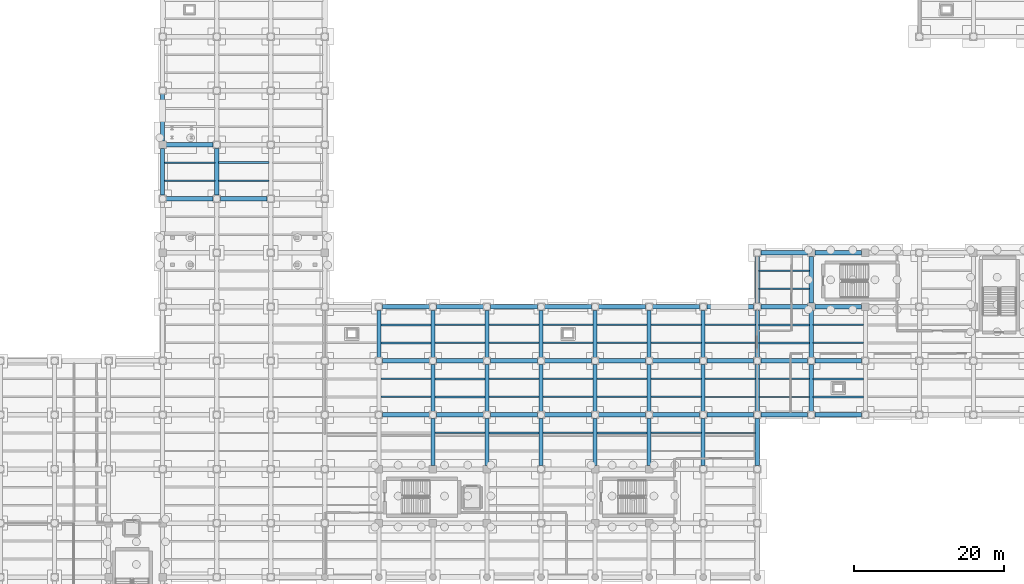
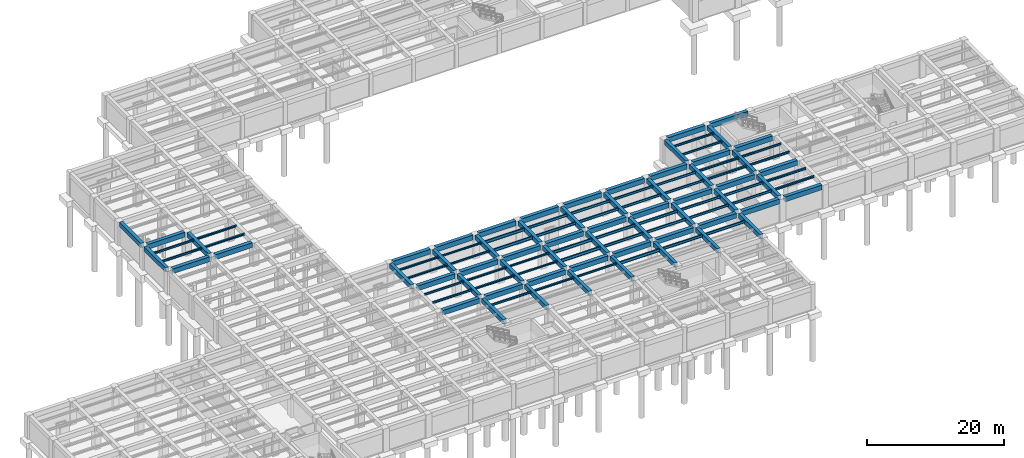
# One storey, part 11 of 34: 109 beams.
"""IFC4 building model written with IfcOpenShell, lengths in metres."""

from ifc_helpers import new_model, si_unit, direction, frame, origin, origin_2d, place, context, subcontext, project, spatial, rectangle, i_section, extrude, material, material_profile, profile_set, type_object, element, save


model = new_model("IFC4")

# Units and contexts
model_context = context("Model", 3, precision=1e-05, world=origin(), true_north=direction((0.0, 1.0)))
body_context = subcontext(model_context, "Body", "Model", "MODEL_VIEW")
ifc_project = project(units=[si_unit("LENGTHUNIT", "METRE"), si_unit("AREAUNIT", "SQUARE_METRE"), si_unit("VOLUMEUNIT", "CUBIC_METRE"), si_unit("PLANEANGLEUNIT", "RADIAN"), si_unit("MASSUNIT", "GRAM", prefix="KILO")], contexts=[model_context])

# Site, building, storey
site_placement = place(None, origin())
site = spatial("IfcSite", under=ifc_project, at=site_placement, CompositionType="ELEMENT")
building_placement = place(site_placement, origin())
building = spatial("IfcBuilding", under=site, at=building_placement, Name="Solenvale Faculty of Natural Sciences", CompositionType="ELEMENT")
storey_placement = place(building_placement, frame((0.0, 0.0, -4.5)))
storey = spatial("IfcBuildingStorey", under=building, at=storey_placement, Name="B01", CompositionType="ELEMENT", Elevation=-4.5)

# Beams
ifc_material_1 = material(Name="Concrete 40 MPa", Category="concrete")
ifc_material_profile_1 = material_profile(ifc_material_1, rectangle(XDim=0.550048828125, YDim=0.800048828125, at=origin_2d()), Name="RC-BM-550x800")
ifc_profile_set_1 = profile_set([ifc_material_profile_1], Name="Concrete 40 MPa")
beam_type_1 = type_object("IfcBeamType", Name="BM-RC-550x800", PredefinedType="BEAM", material=ifc_profile_set_1)
for number, where, z_axis, x_axis, name in (
    (1, (36.0, 65.280029296875, 3.75), (0.0, 1.0, 0.0), (-1.0, 0.0, 0.0), "B01 Y-Girder X36.0 (64.8..72.0)"),
    (2, (36.0, 72.47998046875, 3.75), (0.0, 1.0, 0.0), (-1.0, 0.0, 0.0), "B01 Y-Girder X36.0 (72.0..79.2)"),
    (3, (43.199951171875, 65.280029296875, 3.75), (0.0, 1.0, 0.0), (-1.0, 0.0, 0.0), "B01 Y-Girder X43.2 (64.8..72.0)"),
    (4, (64.800048828125, 43.679931640625, 3.75), (0.0, 1.0, 0.0), (-1.0, 0.0, 0.0), "B01 Y-Girder X64.8 (43.2..50.4)"),
    (5, (72.0, 29.280029296875, 3.75), (0.0, 1.0, 0.0), (-1.0, 0.0, 0.0), "B01 Y-Girder X72.0 (28.8..36.0)"),
    (6, (72.0, 36.47998046875, 3.75), (0.0, 1.0, 0.0), (-1.0, 0.0, 0.0), "B01 Y-Girder X72.0 (36.0..43.2)"),
    (7, (72.0, 43.679931640625, 3.75), (0.0, 1.0, 0.0), (-1.0, 0.0, 0.0), "B01 Y-Girder X72.0 (43.2..50.4)"),
    (8, (79.199951171875, 29.280029296875, 3.75), (0.0, 1.0, 0.0), (-1.0, 0.0, 0.0), "B01 Y-Girder X79.2 (28.8..36.0)"),
    (9, (79.199951171875, 36.47998046875, 3.75), (0.0, 1.0, 0.0), (-1.0, 0.0, 0.0), "B01 Y-Girder X79.2 (36.0..43.2)"),
    (10, (79.199951171875, 43.679931640625, 3.75), (0.0, 1.0, 0.0), (-1.0, 0.0, 0.0), "B01 Y-Girder X79.2 (43.2..50.4)"),
    (11, (86.39990234375, 29.280029296875, 3.75), (0.0, 1.0, 0.0), (-1.0, 0.0, 0.0), "B01 Y-Girder X86.4 (28.8..36.0)"),
    (12, (86.39990234375, 36.47998046875, 3.75), (0.0, 1.0, 0.0), (-1.0, 0.0, 0.0), "B01 Y-Girder X86.4 (36.0..43.2)"),
    (13, (86.39990234375, 43.679931640625, 3.75), (0.0, 1.0, 0.0), (-1.0, 0.0, 0.0), "B01 Y-Girder X86.4 (43.2..50.4)"),
    (14, (93.60009765625, 29.280029296875, 3.75), (0.0, 1.0, 0.0), (-1.0, 0.0, 0.0), "B01 Y-Girder X93.6 (28.8..36.0)"),
    (15, (93.60009765625, 36.47998046875, 3.75), (0.0, 1.0, 0.0), (-1.0, 0.0, 0.0), "B01 Y-Girder X93.6 (36.0..43.2)"),
    (16, (93.60009765625, 43.679931640625, 3.75), (0.0, 1.0, 0.0), (-1.0, 0.0, 0.0), "B01 Y-Girder X93.6 (43.2..50.4)"),
    (17, (100.800048828125, 29.280029296875, 3.75), (0.0, 1.0, 0.0), (-1.0, 0.0, 0.0), "B01 Y-Girder X100.8 (28.8..36.0)"),
    (18, (100.800048828125, 36.47998046875, 3.75), (0.0, 1.0, 0.0), (-1.0, 0.0, 0.0), "B01 Y-Girder X100.8 (36.0..43.2)"),
    (19, (100.800048828125, 43.679931640625, 3.75), (0.0, 1.0, 0.0), (-1.0, 0.0, 0.0), "B01 Y-Girder X100.8 (43.2..50.4)"),
    (20, (108.0, 29.280029296875, 3.75), (0.0, 1.0, 0.0), (-1.0, 0.0, 0.0), "B01 Y-Girder X108.0 (28.8..36.0)"),
    (21, (108.0, 36.47998046875, 3.75), (0.0, 1.0, 0.0), (-1.0, 0.0, 0.0), "B01 Y-Girder X108.0 (36.0..43.2)"),
    (22, (108.0, 43.679931640625, 3.75), (0.0, 1.0, 0.0), (-1.0, 0.0, 0.0), "B01 Y-Girder X108.0 (43.2..50.4)"),
    (23, (115.199951171875, 29.280029296875, 3.75), (0.0, 1.0, 0.0), (-1.0, 0.0, 0.0), "B01 Y-Girder X115.2 (28.8..36.0)"),
    (24, (115.199951171875, 36.47998046875, 3.75), (0.0, 1.0, 0.0), (-1.0, 0.0, 0.0), "B01 Y-Girder X115.2 (36.0..43.2)"),
    (25, (115.199951171875, 43.679931640625, 3.75), (0.0, 1.0, 0.0), (-1.0, 0.0, 0.0), "B01 Y-Girder X115.2 (43.2..50.4)"),
):
    element("IfcBeam", number, at=place(storey_placement, frame(where, z_axis=z_axis, x_axis=x_axis)), inside=storey, type_object=beam_type_1, Name=name, PredefinedType="BEAM", context=body_context, shape_type="SweptSolid", body=[
        extrude(rectangle(XDim=0.550048828125, YDim=0.800048828125, at=origin_2d()), origin(), (0.0, 0.0, 1.0), 6.239990234375),
    ])
beam_1_placement = place(storey_placement, frame((115.199951171875, 50.8798828125, 3.75), z_axis=(0.0, 1.0, 0.0), x_axis=(-1.0, 0.0, 0.0)))
element("IfcBeam", 26, at=beam_1_placement, inside=storey, type_object=beam_type_1, Name="B01 Y-Girder X115.2 (50.4..57.6)", PredefinedType="BEAM", context=body_context, shape_type="SweptSolid", body=[
    extrude(rectangle(XDim=0.550048828125, YDim=0.800048828125, at=origin_2d()), origin(), (0.0, 0.0, 1.0), 6.240234375),
])
for number, where, z_axis, x_axis, name in (
    (27, (122.39990234375, 36.47998046875, 3.75), (0.0, 1.0, 0.0), (-1.0, 0.0, 0.0), "B01 Y-Girder X122.4 (36.0..43.2)"),
    (28, (122.39990234375, 43.679931640625, 3.75), (0.0, 1.0, 0.0), (-1.0, 0.0, 0.0), "B01 Y-Girder X122.4 (43.2..50.4)"),
):
    element("IfcBeam", number, at=place(storey_placement, frame(where, z_axis=z_axis, x_axis=x_axis)), inside=storey, type_object=beam_type_1, Name=name, PredefinedType="BEAM", context=body_context, shape_type="SweptSolid", body=[
        extrude(rectangle(XDim=0.550048828125, YDim=0.800048828125, at=origin_2d()), origin(), (0.0, 0.0, 1.0), 6.239990234375),
    ])
beam_2_placement = place(storey_placement, frame((122.39990234375, 50.8798828125, 3.75), z_axis=(0.0, 1.0, 0.0), x_axis=(-1.0, 0.0, 0.0)))
element("IfcBeam", 29, at=beam_2_placement, inside=storey, type_object=beam_type_1, Name="B01 Y-Girder X122.4 (50.4..57.6)", PredefinedType="BEAM", context=body_context, shape_type="SweptSolid", body=[
    extrude(rectangle(XDim=0.550048828125, YDim=0.800048828125, at=origin_2d()), origin(), (0.0, 0.0, 1.0), 6.240234375),
])
ifc_material_profile_2 = material_profile(ifc_material_1, rectangle(XDim=0.60009765625, YDim=0.85009765625, at=origin_2d()), Name="RC-BM-600x850")
ifc_profile_set_2 = profile_set([ifc_material_profile_2], Name="Concrete 40 MPa")
beam_type_2 = type_object("IfcBeamType", Name="BM-RC-600x850", PredefinedType="BEAM", material=ifc_profile_set_2)
for number, where, z_axis, x_axis, name in (
    (30, (65.280029296875, 36.0, 3.72509765625), (1.0, 0.0, 0.0), (0.0, 1.0, 0.0), "B01 X-Girder Y36.0 (64.8..72.0)"),
    (31, (72.47998046875, 36.0, 3.72509765625), (1.0, 0.0, 0.0), (0.0, 1.0, 0.0), "B01 X-Girder Y36.0 (72.0..79.2)"),
    (32, (79.679931640625, 36.0, 3.72509765625), (1.0, 0.0, 0.0), (0.0, 1.0, 0.0), "B01 X-Girder Y36.0 (79.2..86.4)"),
):
    element("IfcBeam", number, at=place(storey_placement, frame(where, z_axis=z_axis, x_axis=x_axis)), inside=storey, type_object=beam_type_2, Name=name, PredefinedType="BEAM", context=body_context, shape_type="SweptSolid", body=[
        extrude(rectangle(XDim=0.60009765625, YDim=0.85009765625, at=origin_2d()), origin(), (0.0, 0.0, 1.0), 6.239990234375),
    ])
beam_3_placement = place(storey_placement, frame((86.8798828125, 36.0, 3.72509765625), z_axis=(1.0, 0.0, 0.0), x_axis=(0.0, 1.0, 0.0)))
element("IfcBeam", 33, at=beam_3_placement, inside=storey, type_object=beam_type_2, Name="B01 X-Girder Y36.0 (86.4..93.6)", PredefinedType="BEAM", context=body_context, shape_type="SweptSolid", body=[
    extrude(rectangle(XDim=0.60009765625, YDim=0.85009765625, at=origin_2d()), origin(), (0.0, 0.0, 1.0), 6.240234375),
])
for number, where, z_axis, x_axis, name in (
    (34, (94.080078125, 36.0, 3.72509765625), (1.0, 0.0, 0.0), (0.0, 1.0, 0.0), "B01 X-Girder Y36.0 (93.6..100.8)"),
    (35, (101.280029296875, 36.0, 3.72509765625), (1.0, 0.0, 0.0), (0.0, 1.0, 0.0), "B01 X-Girder Y36.0 (100.8..108.0)"),
    (36, (108.47998046875, 36.0, 3.72509765625), (1.0, 0.0, 0.0), (0.0, 1.0, 0.0), "B01 X-Girder Y36.0 (108.0..115.2)"),
    (37, (115.679931640625, 36.0, 3.72509765625), (1.0, 0.0, 0.0), (0.0, 1.0, 0.0), "B01 X-Girder Y36.0 (115.2..122.4)"),
):
    element("IfcBeam", number, at=place(storey_placement, frame(where, z_axis=z_axis, x_axis=x_axis)), inside=storey, type_object=beam_type_2, Name=name, PredefinedType="BEAM", context=body_context, shape_type="SweptSolid", body=[
        extrude(rectangle(XDim=0.60009765625, YDim=0.85009765625, at=origin_2d()), origin(), (0.0, 0.0, 1.0), 6.239990234375),
    ])
beam_4_placement = place(storey_placement, frame((122.8798828125, 36.0, 3.72509765625), z_axis=(1.0, 0.0, 0.0), x_axis=(0.0, 1.0, 0.0)))
element("IfcBeam", 38, at=beam_4_placement, inside=storey, type_object=beam_type_2, Name="B01 X-Girder Y36.0 (122.4..129.6)", PredefinedType="BEAM", context=body_context, shape_type="SweptSolid", body=[
    extrude(rectangle(XDim=0.60009765625, YDim=0.85009765625, at=origin_2d()), origin(), (0.0, 0.0, 1.0), 6.240234375),
])
for number, where, z_axis, x_axis, name in (
    (39, (65.280029296875, 43.199951171875, 3.72509765625), (1.0, 0.0, 0.0), (0.0, 1.0, 0.0), "B01 X-Girder Y43.2 (64.8..72.0)"),
    (40, (72.47998046875, 43.199951171875, 3.72509765625), (1.0, 0.0, 0.0), (0.0, 1.0, 0.0), "B01 X-Girder Y43.2 (72.0..79.2)"),
    (41, (79.679931640625, 43.199951171875, 3.72509765625), (1.0, 0.0, 0.0), (0.0, 1.0, 0.0), "B01 X-Girder Y43.2 (79.2..86.4)"),
):
    element("IfcBeam", number, at=place(storey_placement, frame(where, z_axis=z_axis, x_axis=x_axis)), inside=storey, type_object=beam_type_2, Name=name, PredefinedType="BEAM", context=body_context, shape_type="SweptSolid", body=[
        extrude(rectangle(XDim=0.60009765625, YDim=0.85009765625, at=origin_2d()), origin(), (0.0, 0.0, 1.0), 6.239990234375),
    ])
beam_5_placement = place(storey_placement, frame((86.8798828125, 43.199951171875, 3.72509765625), z_axis=(1.0, 0.0, 0.0), x_axis=(0.0, 1.0, 0.0)))
element("IfcBeam", 42, at=beam_5_placement, inside=storey, type_object=beam_type_2, Name="B01 X-Girder Y43.2 (86.4..93.6)", PredefinedType="BEAM", context=body_context, shape_type="SweptSolid", body=[
    extrude(rectangle(XDim=0.60009765625, YDim=0.85009765625, at=origin_2d()), origin(), (0.0, 0.0, 1.0), 6.240234375),
])
for number, where, z_axis, x_axis, name in (
    (43, (94.080078125, 43.199951171875, 3.72509765625), (1.0, 0.0, 0.0), (0.0, 1.0, 0.0), "B01 X-Girder Y43.2 (93.6..100.8)"),
    (44, (101.280029296875, 43.199951171875, 3.72509765625), (1.0, 0.0, 0.0), (0.0, 1.0, 0.0), "B01 X-Girder Y43.2 (100.8..108.0)"),
    (45, (108.47998046875, 43.199951171875, 3.72509765625), (1.0, 0.0, 0.0), (0.0, 1.0, 0.0), "B01 X-Girder Y43.2 (108.0..115.2)"),
    (46, (115.679931640625, 43.199951171875, 3.72509765625), (1.0, 0.0, 0.0), (0.0, 1.0, 0.0), "B01 X-Girder Y43.2 (115.2..122.4)"),
):
    element("IfcBeam", number, at=place(storey_placement, frame(where, z_axis=z_axis, x_axis=x_axis)), inside=storey, type_object=beam_type_2, Name=name, PredefinedType="BEAM", context=body_context, shape_type="SweptSolid", body=[
        extrude(rectangle(XDim=0.60009765625, YDim=0.85009765625, at=origin_2d()), origin(), (0.0, 0.0, 1.0), 6.239990234375),
    ])
beam_6_placement = place(storey_placement, frame((122.8798828125, 43.199951171875, 3.72509765625), z_axis=(1.0, 0.0, 0.0), x_axis=(0.0, 1.0, 0.0)))
element("IfcBeam", 47, at=beam_6_placement, inside=storey, type_object=beam_type_2, Name="B01 X-Girder Y43.2 (122.4..129.6)", PredefinedType="BEAM", context=body_context, shape_type="SweptSolid", body=[
    extrude(rectangle(XDim=0.60009765625, YDim=0.85009765625, at=origin_2d()), origin(), (0.0, 0.0, 1.0), 6.240234375),
])
for number, where, z_axis, x_axis, name in (
    (48, (65.280029296875, 50.39990234375, 3.72509765625), (1.0, 0.0, 0.0), (0.0, 1.0, 0.0), "B01 X-Girder Y50.4 (64.8..72.0)"),
    (49, (72.47998046875, 50.39990234375, 3.72509765625), (1.0, 0.0, 0.0), (0.0, 1.0, 0.0), "B01 X-Girder Y50.4 (72.0..79.2)"),
    (50, (79.679931640625, 50.39990234375, 3.72509765625), (1.0, 0.0, 0.0), (0.0, 1.0, 0.0), "B01 X-Girder Y50.4 (79.2..86.4)"),
):
    element("IfcBeam", number, at=place(storey_placement, frame(where, z_axis=z_axis, x_axis=x_axis)), inside=storey, type_object=beam_type_2, Name=name, PredefinedType="BEAM", context=body_context, shape_type="SweptSolid", body=[
        extrude(rectangle(XDim=0.60009765625, YDim=0.85009765625, at=origin_2d()), origin(), (0.0, 0.0, 1.0), 6.239990234375),
    ])
beam_7_placement = place(storey_placement, frame((86.8798828125, 50.39990234375, 3.72509765625), z_axis=(1.0, 0.0, 0.0), x_axis=(0.0, 1.0, 0.0)))
element("IfcBeam", 51, at=beam_7_placement, inside=storey, type_object=beam_type_2, Name="B01 X-Girder Y50.4 (86.4..93.6)", PredefinedType="BEAM", context=body_context, shape_type="SweptSolid", body=[
    extrude(rectangle(XDim=0.60009765625, YDim=0.85009765625, at=origin_2d()), origin(), (0.0, 0.0, 1.0), 6.240234375),
])
for number, where, z_axis, x_axis, name in (
    (52, (94.080078125, 50.39990234375, 3.72509765625), (1.0, 0.0, 0.0), (0.0, 1.0, 0.0), "B01 X-Girder Y50.4 (93.6..100.8)"),
    (53, (101.280029296875, 50.39990234375, 3.72509765625), (1.0, 0.0, 0.0), (0.0, 1.0, 0.0), "B01 X-Girder Y50.4 (100.8..108.0)"),
    (54, (108.47998046875, 50.39990234375, 3.72509765625), (1.0, 0.0, 0.0), (0.0, 1.0, 0.0), "B01 X-Girder Y50.4 (108.0..115.2)"),
    (55, (115.679931640625, 50.39990234375, 3.72509765625), (1.0, 0.0, 0.0), (0.0, 1.0, 0.0), "B01 X-Girder Y50.4 (115.2..122.4)"),
):
    element("IfcBeam", number, at=place(storey_placement, frame(where, z_axis=z_axis, x_axis=x_axis)), inside=storey, type_object=beam_type_2, Name=name, PredefinedType="BEAM", context=body_context, shape_type="SweptSolid", body=[
        extrude(rectangle(XDim=0.60009765625, YDim=0.85009765625, at=origin_2d()), origin(), (0.0, 0.0, 1.0), 6.239990234375),
    ])
beam_8_placement = place(storey_placement, frame((122.8798828125, 50.39990234375, 3.72509765625), z_axis=(1.0, 0.0, 0.0), x_axis=(0.0, 1.0, 0.0)))
element("IfcBeam", 56, at=beam_8_placement, inside=storey, type_object=beam_type_2, Name="B01 X-Girder Y50.4 (122.4..129.6)", PredefinedType="BEAM", context=body_context, shape_type="SweptSolid", body=[
    extrude(rectangle(XDim=0.60009765625, YDim=0.85009765625, at=origin_2d()), origin(), (0.0, 0.0, 1.0), 6.240234375),
])
beam_9_placement = place(storey_placement, frame((115.679931640625, 57.60009765625, 3.72509765625), z_axis=(1.0, 0.0, 0.0), x_axis=(0.0, 1.0, 0.0)))
element("IfcBeam", 57, at=beam_9_placement, inside=storey, type_object=beam_type_2, Name="B01 X-Girder Y57.6 (115.2..122.4)", PredefinedType="BEAM", context=body_context, shape_type="SweptSolid", body=[
    extrude(rectangle(XDim=0.60009765625, YDim=0.85009765625, at=origin_2d()), origin(), (0.0, 0.0, 1.0), 6.239990234375),
])
beam_10_placement = place(storey_placement, frame((122.8798828125, 57.60009765625, 3.72509765625), z_axis=(1.0, 0.0, 0.0), x_axis=(0.0, 1.0, 0.0)))
element("IfcBeam", 58, at=beam_10_placement, inside=storey, type_object=beam_type_2, Name="B01 X-Girder Y57.6 (122.4..129.6)", PredefinedType="BEAM", context=body_context, shape_type="SweptSolid", body=[
    extrude(rectangle(XDim=0.60009765625, YDim=0.85009765625, at=origin_2d()), origin(), (0.0, 0.0, 1.0), 6.240234375),
])
for number, where, z_axis, x_axis, name in (
    (59, (36.47998046875, 64.800048828125, 3.72509765625), (1.0, 0.0, 0.0), (0.0, 1.0, 0.0), "B01 X-Girder Y64.8 (36.0..43.2)"),
    (60, (43.679931640625, 64.800048828125, 3.72509765625), (1.0, 0.0, 0.0), (0.0, 1.0, 0.0), "B01 X-Girder Y64.8 (43.2..50.4)"),
    (61, (36.47998046875, 72.0, 3.72509765625), (1.0, 0.0, 0.0), (0.0, 1.0, 0.0), "B01 X-Girder Y72.0 (36.0..43.2)"),
):
    element("IfcBeam", number, at=place(storey_placement, frame(where, z_axis=z_axis, x_axis=x_axis)), inside=storey, type_object=beam_type_2, Name=name, PredefinedType="BEAM", context=body_context, shape_type="SweptSolid", body=[
        extrude(rectangle(XDim=0.60009765625, YDim=0.85009765625, at=origin_2d()), origin(), (0.0, 0.0, 1.0), 6.239990234375),
    ])
ifc_material_2 = material(Name="Steel S355", Category="steel")
ifc_material_profile_3 = material_profile(ifc_material_2, i_section(OverallWidth=0.202880859375, OverallDepth=0.302978515625, WebThickness=0.007568359375, FlangeThickness=0.01318359375, FilletRadius=0.014892578125, at=origin_2d()), Name="W310x60")
ifc_profile_set_3 = profile_set([ifc_material_profile_3], Name="Steel S355")
beam_type_3 = type_object("IfcBeamType", Name="BM-STL-W310x60", PredefinedType="JOIST", material=ifc_profile_set_3)
for number, where, z_axis, x_axis, name in (
    (62, (72.2548828125, 45.60009765625, 3.99853515625), (1.0, 0.0, 0.0), (0.0, 1.0, 0.0), "B01 Composite Floor Joist (11,7).1"),
    (63, (72.2548828125, 48.0, 3.99853515625), (1.0, 0.0, 0.0), (0.0, 1.0, 0.0), "B01 Composite Floor Joist (11,7).2"),
):
    element("IfcBeam", number, at=place(storey_placement, frame(where, z_axis=z_axis, x_axis=x_axis)), inside=storey, type_object=beam_type_3, Name=name, PredefinedType="JOIST", context=body_context, shape_type="SweptSolid", body=[
        extrude(i_section(OverallWidth=0.202880859375, OverallDepth=0.302978515625, WebThickness=0.007568359375, FlangeThickness=0.01318359375, FilletRadius=0.014892578125, at=origin_2d()), origin(), (0.0, 0.0, 1.0), 6.690185546875),
    ])
for number, where, z_axis, x_axis, name in (
    (64, (79.455078125, 38.39990234375, 3.99853515625), (1.0, 0.0, 0.0), (0.0, 1.0, 0.0), "B01 Composite Floor Joist (12,6).1"),
    (65, (79.455078125, 40.800048828125, 3.99853515625), (1.0, 0.0, 0.0), (0.0, 1.0, 0.0), "B01 Composite Floor Joist (12,6).2"),
    (66, (86.655029296875, 33.60009765625, 3.99853515625), (1.0, 0.0, 0.0), (0.0, 1.0, 0.0), "B01 Composite Floor Joist (13,5).2"),
):
    element("IfcBeam", number, at=place(storey_placement, frame(where, z_axis=z_axis, x_axis=x_axis)), inside=storey, type_object=beam_type_3, Name=name, PredefinedType="JOIST", context=body_context, shape_type="SweptSolid", body=[
        extrude(i_section(OverallWidth=0.202880859375, OverallDepth=0.302978515625, WebThickness=0.007568359375, FlangeThickness=0.01318359375, FilletRadius=0.014892578125, at=origin_2d()), origin(), (0.0, 0.0, 1.0), 6.68994140625),
    ])
ifc_material_profile_4 = material_profile(ifc_material_2, i_section(OverallWidth=0.25390625, OverallDepth=0.305908203125, WebThickness=0.0087890625, FlangeThickness=0.0146484375, FilletRadius=0.014892578125, at=origin_2d()), Name="W310x79")
ifc_profile_set_4 = profile_set([ifc_material_profile_4], Name="Steel S355")
beam_type_4 = type_object("IfcBeamType", Name="BM-STL-W310x79", PredefinedType="JOIST", material=ifc_profile_set_4)
for number, where, z_axis, x_axis, name in (
    (67, (43.455078125, 67.199951171875, 3.9970703125), (1.0, 0.0, 0.0), (0.0, 1.0, 0.0), "B01 Composite Floor Joist (7,10).1"),
    (68, (43.455078125, 69.60009765625, 3.9970703125), (1.0, 0.0, 0.0), (0.0, 1.0, 0.0), "B01 Composite Floor Joist (7,10).2"),
):
    element("IfcBeam", number, at=place(storey_placement, frame(where, z_axis=z_axis, x_axis=x_axis)), inside=storey, type_object=beam_type_4, Name=name, PredefinedType="JOIST", context=body_context, shape_type="SweptSolid", body=[
        extrude(i_section(OverallWidth=0.25390625, OverallDepth=0.305908203125, WebThickness=0.0087890625, FlangeThickness=0.0146484375, FilletRadius=0.014892578125, at=origin_2d()), origin(), (0.0, 0.0, 1.0), 6.68994140625),
    ])
for number, where, z_axis, x_axis, name in (
    (69, (65.054931640625, 45.60009765625, 3.9970703125), (1.0, 0.0, 0.0), (0.0, 1.0, 0.0), "B01 Composite Floor Joist (10,7).1"),
    (70, (65.054931640625, 48.0, 3.9970703125), (1.0, 0.0, 0.0), (0.0, 1.0, 0.0), "B01 Composite Floor Joist (10,7).2"),
    (71, (72.2548828125, 38.39990234375, 3.9970703125), (1.0, 0.0, 0.0), (0.0, 1.0, 0.0), "B01 Composite Floor Joist (11,6).1"),
    (72, (72.2548828125, 40.800048828125, 3.9970703125), (1.0, 0.0, 0.0), (0.0, 1.0, 0.0), "B01 Composite Floor Joist (11,6).2"),
):
    element("IfcBeam", number, at=place(storey_placement, frame(where, z_axis=z_axis, x_axis=x_axis)), inside=storey, type_object=beam_type_4, Name=name, PredefinedType="JOIST", context=body_context, shape_type="SweptSolid", body=[
        extrude(i_section(OverallWidth=0.25390625, OverallDepth=0.305908203125, WebThickness=0.0087890625, FlangeThickness=0.0146484375, FilletRadius=0.014892578125, at=origin_2d()), origin(), (0.0, 0.0, 1.0), 6.690185546875),
    ])
beam_11_placement = place(storey_placement, frame((79.455078125, 33.60009765625, 3.9970703125), z_axis=(1.0, 0.0, 0.0), x_axis=(0.0, 1.0, 0.0)))
element("IfcBeam", 73, at=beam_11_placement, inside=storey, type_object=beam_type_4, Name="B01 Composite Floor Joist (12,5).2", PredefinedType="JOIST", context=body_context, shape_type="SweptSolid", body=[
    extrude(i_section(OverallWidth=0.25390625, OverallDepth=0.305908203125, WebThickness=0.0087890625, FlangeThickness=0.0146484375, FilletRadius=0.014892578125, at=origin_2d()), origin(), (0.0, 0.0, 1.0), 6.68994140625),
])
ifc_material_profile_5 = material_profile(ifc_material_2, i_section(OverallWidth=0.2548828125, OverallDepth=0.35693359375, WebThickness=0.010498046875, FlangeThickness=0.018310546875, FilletRadius=0.014892578125, at=origin_2d()), Name="W360x101")
ifc_profile_set_5 = profile_set([ifc_material_profile_5], Name="Steel S355")
beam_type_5 = type_object("IfcBeamType", Name="BM-STL-W360x101", PredefinedType="JOIST", material=ifc_profile_set_5)
for number, where, z_axis, x_axis, name in (
    (74, (115.455078125, 45.60009765625, 3.971435546875), (1.0, 0.0, 0.0), (0.0, 1.0, 0.0), "B01 Composite Floor Joist (17,7).1"),
    (75, (115.455078125, 48.0, 3.971435546875), (1.0, 0.0, 0.0), (0.0, 1.0, 0.0), "B01 Composite Floor Joist (17,7).2"),
    (76, (122.655029296875, 38.39990234375, 3.971435546875), (1.0, 0.0, 0.0), (0.0, 1.0, 0.0), "B01 Composite Floor Joist (18,6).1"),
    (77, (122.655029296875, 40.800048828125, 3.971435546875), (1.0, 0.0, 0.0), (0.0, 1.0, 0.0), "B01 Composite Floor Joist (18,6).2"),
):
    element("IfcBeam", number, at=place(storey_placement, frame(where, z_axis=z_axis, x_axis=x_axis)), inside=storey, type_object=beam_type_5, Name=name, PredefinedType="JOIST", context=body_context, shape_type="SweptSolid", body=[
        extrude(i_section(OverallWidth=0.2548828125, OverallDepth=0.35693359375, WebThickness=0.010498046875, FlangeThickness=0.018310546875, FilletRadius=0.014892578125, at=origin_2d()), origin(), (0.0, 0.0, 1.0), 6.68994140625),
    ])
ifc_material_profile_6 = material_profile(ifc_material_2, i_section(OverallWidth=0.2041015625, OverallDepth=0.35009765625, WebThickness=0.008544921875, FlangeThickness=0.01513671875, FilletRadius=0.014892578125, at=origin_2d()), Name="W360x72")
ifc_profile_set_6 = profile_set([ifc_material_profile_6], Name="Steel S355")
beam_type_6 = type_object("IfcBeamType", Name="BM-STL-W360x72", PredefinedType="JOIST", material=ifc_profile_set_6)
for number, where, z_axis, x_axis, name in (
    (78, (36.2548828125, 67.199951171875, 3.97509765625), (1.0, 0.0, 0.0), (0.0, 1.0, 0.0), "B01 Composite Floor Joist (6,10).1"),
    (79, (36.2548828125, 69.60009765625, 3.97509765625), (1.0, 0.0, 0.0), (0.0, 1.0, 0.0), "B01 Composite Floor Joist (6,10).2"),
    (80, (65.054931640625, 38.39990234375, 3.97509765625), (1.0, 0.0, 0.0), (0.0, 1.0, 0.0), "B01 Composite Floor Joist (10,6).1"),
    (81, (65.054931640625, 40.800048828125, 3.97509765625), (1.0, 0.0, 0.0), (0.0, 1.0, 0.0), "B01 Composite Floor Joist (10,6).2"),
    (82, (72.2548828125, 33.60009765625, 3.97509765625), (1.0, 0.0, 0.0), (0.0, 1.0, 0.0), "B01 Composite Floor Joist (11,5).2"),
):
    element("IfcBeam", number, at=place(storey_placement, frame(where, z_axis=z_axis, x_axis=x_axis)), inside=storey, type_object=beam_type_6, Name=name, PredefinedType="JOIST", context=body_context, shape_type="SweptSolid", body=[
        extrude(i_section(OverallWidth=0.2041015625, OverallDepth=0.35009765625, WebThickness=0.008544921875, FlangeThickness=0.01513671875, FilletRadius=0.014892578125, at=origin_2d()), origin(), (0.0, 0.0, 1.0), 6.690185546875),
    ])
for number, where, z_axis, x_axis, name in (
    (83, (115.455078125, 52.800048828125, 3.97509765625), (1.0, 0.0, 0.0), (0.0, 1.0, 0.0), "B01 Composite Floor Joist (17,8).1"),
    (84, (115.455078125, 55.199951171875, 3.97509765625), (1.0, 0.0, 0.0), (0.0, 1.0, 0.0), "B01 Composite Floor Joist (17,8).2"),
    (85, (122.655029296875, 45.60009765625, 3.97509765625), (1.0, 0.0, 0.0), (0.0, 1.0, 0.0), "B01 Composite Floor Joist (18,7).1"),
    (86, (122.655029296875, 48.0, 3.97509765625), (1.0, 0.0, 0.0), (0.0, 1.0, 0.0), "B01 Composite Floor Joist (18,7).2"),
):
    element("IfcBeam", number, at=place(storey_placement, frame(where, z_axis=z_axis, x_axis=x_axis)), inside=storey, type_object=beam_type_6, Name=name, PredefinedType="JOIST", context=body_context, shape_type="SweptSolid", body=[
        extrude(i_section(OverallWidth=0.2041015625, OverallDepth=0.35009765625, WebThickness=0.008544921875, FlangeThickness=0.01513671875, FilletRadius=0.014892578125, at=origin_2d()), origin(), (0.0, 0.0, 1.0), 6.68994140625),
    ])
ifc_material_profile_7 = material_profile(ifc_material_2, i_section(OverallWidth=0.178955078125, OverallDepth=0.409912109375, WebThickness=0.0087890625, FlangeThickness=0.014404296875, FilletRadius=0.01611328125, at=origin_2d()), Name="W410x67")
ifc_profile_set_7 = profile_set([ifc_material_profile_7], Name="Steel S355")
beam_type_7 = type_object("IfcBeamType", Name="BM-STL-W410x67", PredefinedType="JOIST", material=ifc_profile_set_7)
for number, where, z_axis, x_axis, name in (
    (87, (108.2548828125, 45.60009765625, 3.945068359375), (1.0, 0.0, 0.0), (0.0, 1.0, 0.0), "B01 Composite Floor Joist (16,7).1"),
    (88, (108.2548828125, 48.0, 3.945068359375), (1.0, 0.0, 0.0), (0.0, 1.0, 0.0), "B01 Composite Floor Joist (16,7).2"),
):
    element("IfcBeam", number, at=place(storey_placement, frame(where, z_axis=z_axis, x_axis=x_axis)), inside=storey, type_object=beam_type_7, Name=name, PredefinedType="JOIST", context=body_context, shape_type="SweptSolid", body=[
        extrude(i_section(OverallWidth=0.178955078125, OverallDepth=0.409912109375, WebThickness=0.0087890625, FlangeThickness=0.014404296875, FilletRadius=0.01611328125, at=origin_2d()), origin(), (0.0, 0.0, 1.0), 6.690185546875),
    ])
for number, where, z_axis, x_axis, name in (
    (89, (115.455078125, 38.39990234375, 3.945068359375), (1.0, 0.0, 0.0), (0.0, 1.0, 0.0), "B01 Composite Floor Joist (17,6).1"),
    (90, (115.455078125, 40.800048828125, 3.945068359375), (1.0, 0.0, 0.0), (0.0, 1.0, 0.0), "B01 Composite Floor Joist (17,6).2"),
):
    element("IfcBeam", number, at=place(storey_placement, frame(where, z_axis=z_axis, x_axis=x_axis)), inside=storey, type_object=beam_type_7, Name=name, PredefinedType="JOIST", context=body_context, shape_type="SweptSolid", body=[
        extrude(i_section(OverallWidth=0.178955078125, OverallDepth=0.409912109375, WebThickness=0.0087890625, FlangeThickness=0.014404296875, FilletRadius=0.01611328125, at=origin_2d()), origin(), (0.0, 0.0, 1.0), 6.68994140625),
    ])
ifc_material_profile_8 = material_profile(ifc_material_2, i_section(OverallWidth=0.180908203125, OverallDepth=0.4169921875, WebThickness=0.010986328125, FlangeThickness=0.018310546875, FilletRadius=0.01611328125, at=origin_2d()), Name="W410x85")
ifc_profile_set_8 = profile_set([ifc_material_profile_8], Name="Steel S355")
beam_type_8 = type_object("IfcBeamType", Name="BM-STL-W410x85", PredefinedType="JOIST", material=ifc_profile_set_8)
for number, where, z_axis, x_axis, name in (
    (91, (101.054931640625, 45.60009765625, 3.94140625), (1.0, 0.0, 0.0), (0.0, 1.0, 0.0), "B01 Composite Floor Joist (15,7).1"),
    (92, (101.054931640625, 48.0, 3.94140625), (1.0, 0.0, 0.0), (0.0, 1.0, 0.0), "B01 Composite Floor Joist (15,7).2"),
    (93, (108.2548828125, 38.39990234375, 3.94140625), (1.0, 0.0, 0.0), (0.0, 1.0, 0.0), "B01 Composite Floor Joist (16,6).1"),
    (94, (108.2548828125, 40.800048828125, 3.94140625), (1.0, 0.0, 0.0), (0.0, 1.0, 0.0), "B01 Composite Floor Joist (16,6).2"),
):
    element("IfcBeam", number, at=place(storey_placement, frame(where, z_axis=z_axis, x_axis=x_axis)), inside=storey, type_object=beam_type_8, Name=name, PredefinedType="JOIST", context=body_context, shape_type="SweptSolid", body=[
        extrude(i_section(OverallWidth=0.180908203125, OverallDepth=0.4169921875, WebThickness=0.010986328125, FlangeThickness=0.018310546875, FilletRadius=0.01611328125, at=origin_2d()), origin(), (0.0, 0.0, 1.0), 6.690185546875),
    ])
ifc_material_profile_9 = material_profile(ifc_material_2, i_section(OverallWidth=0.194091796875, OverallDepth=0.468994140625, WebThickness=0.0126953125, FlangeThickness=0.0205078125, FilletRadius=0.01806640625, at=origin_2d()), Name="W460x106")
ifc_profile_set_9 = profile_set([ifc_material_profile_9], Name="Steel S355")
beam_type_9 = type_object("IfcBeamType", Name="BM-STL-W460x106", PredefinedType="JOIST", material=ifc_profile_set_9)
for number, where, z_axis, x_axis, name in (
    (95, (86.655029296875, 45.60009765625, 3.91552734375), (1.0, 0.0, 0.0), (0.0, 1.0, 0.0), "B01 Composite Floor Joist (13,7).1"),
    (96, (86.655029296875, 48.0, 3.91552734375), (1.0, 0.0, 0.0), (0.0, 1.0, 0.0), "B01 Composite Floor Joist (13,7).2"),
    (97, (93.85498046875, 38.39990234375, 3.91552734375), (1.0, 0.0, 0.0), (0.0, 1.0, 0.0), "B01 Composite Floor Joist (14,6).1"),
    (98, (93.85498046875, 40.800048828125, 3.91552734375), (1.0, 0.0, 0.0), (0.0, 1.0, 0.0), "B01 Composite Floor Joist (14,6).2"),
):
    element("IfcBeam", number, at=place(storey_placement, frame(where, z_axis=z_axis, x_axis=x_axis)), inside=storey, type_object=beam_type_9, Name=name, PredefinedType="JOIST", context=body_context, shape_type="SweptSolid", body=[
        extrude(i_section(OverallWidth=0.194091796875, OverallDepth=0.468994140625, WebThickness=0.0126953125, FlangeThickness=0.0205078125, FilletRadius=0.01806640625, at=origin_2d()), origin(), (0.0, 0.0, 1.0), 6.68994140625),
    ])
beam_12_placement = place(storey_placement, frame((101.054931640625, 33.60009765625, 3.91552734375), z_axis=(1.0, 0.0, 0.0), x_axis=(0.0, 1.0, 0.0)))
element("IfcBeam", 99, at=beam_12_placement, inside=storey, type_object=beam_type_9, Name="B01 Composite Floor Joist (15,5).2", PredefinedType="JOIST", context=body_context, shape_type="SweptSolid", body=[
    extrude(i_section(OverallWidth=0.194091796875, OverallDepth=0.468994140625, WebThickness=0.0126953125, FlangeThickness=0.0205078125, FilletRadius=0.01806640625, at=origin_2d()), origin(), (0.0, 0.0, 1.0), 6.690185546875),
])
ifc_material_profile_10 = material_profile(ifc_material_2, i_section(OverallWidth=0.19091796875, OverallDepth=0.4599609375, WebThickness=0.010009765625, FlangeThickness=0.01611328125, FilletRadius=0.01806640625, at=origin_2d()), Name="W460x82")
ifc_profile_set_10 = profile_set([ifc_material_profile_10], Name="Steel S355")
beam_type_10 = type_object("IfcBeamType", Name="BM-STL-W460x82", PredefinedType="JOIST", material=ifc_profile_set_10)
for number, where, z_axis, x_axis, name in (
    (100, (93.85498046875, 45.60009765625, 3.919921875), (1.0, 0.0, 0.0), (0.0, 1.0, 0.0), "B01 Composite Floor Joist (14,7).1"),
    (101, (93.85498046875, 48.0, 3.919921875), (1.0, 0.0, 0.0), (0.0, 1.0, 0.0), "B01 Composite Floor Joist (14,7).2"),
):
    element("IfcBeam", number, at=place(storey_placement, frame(where, z_axis=z_axis, x_axis=x_axis)), inside=storey, type_object=beam_type_10, Name=name, PredefinedType="JOIST", context=body_context, shape_type="SweptSolid", body=[
        extrude(i_section(OverallWidth=0.19091796875, OverallDepth=0.4599609375, WebThickness=0.010009765625, FlangeThickness=0.01611328125, FilletRadius=0.01806640625, at=origin_2d()), origin(), (0.0, 0.0, 1.0), 6.68994140625),
    ])
for number, where, z_axis, x_axis, name in (
    (102, (101.054931640625, 38.39990234375, 3.919921875), (1.0, 0.0, 0.0), (0.0, 1.0, 0.0), "B01 Composite Floor Joist (15,6).1"),
    (103, (101.054931640625, 40.800048828125, 3.919921875), (1.0, 0.0, 0.0), (0.0, 1.0, 0.0), "B01 Composite Floor Joist (15,6).2"),
    (104, (108.2548828125, 33.60009765625, 3.919921875), (1.0, 0.0, 0.0), (0.0, 1.0, 0.0), "B01 Composite Floor Joist (16,5).2"),
):
    element("IfcBeam", number, at=place(storey_placement, frame(where, z_axis=z_axis, x_axis=x_axis)), inside=storey, type_object=beam_type_10, Name=name, PredefinedType="JOIST", context=body_context, shape_type="SweptSolid", body=[
        extrude(i_section(OverallWidth=0.19091796875, OverallDepth=0.4599609375, WebThickness=0.010009765625, FlangeThickness=0.01611328125, FilletRadius=0.01806640625, at=origin_2d()), origin(), (0.0, 0.0, 1.0), 6.690185546875),
    ])
ifc_material_profile_11 = material_profile(ifc_material_2, i_section(OverallWidth=0.208984375, OverallDepth=0.532958984375, WebThickness=0.01025390625, FlangeThickness=0.015625, FilletRadius=0.01904296875, at=origin_2d()), Name="W530x92")
ifc_profile_set_11 = profile_set([ifc_material_profile_11], Name="Steel S355")
beam_type_11 = type_object("IfcBeamType", Name="BM-STL-W530x92", PredefinedType="JOIST", material=ifc_profile_set_11)
for number, where, z_axis, x_axis, name in (
    (105, (79.455078125, 45.60009765625, 3.883544921875), (1.0, 0.0, 0.0), (0.0, 1.0, 0.0), "B01 Composite Floor Joist (12,7).1"),
    (106, (79.455078125, 48.0, 3.883544921875), (1.0, 0.0, 0.0), (0.0, 1.0, 0.0), "B01 Composite Floor Joist (12,7).2"),
    (107, (86.655029296875, 38.39990234375, 3.883544921875), (1.0, 0.0, 0.0), (0.0, 1.0, 0.0), "B01 Composite Floor Joist (13,6).1"),
    (108, (86.655029296875, 40.800048828125, 3.883544921875), (1.0, 0.0, 0.0), (0.0, 1.0, 0.0), "B01 Composite Floor Joist (13,6).2"),
    (109, (93.85498046875, 33.60009765625, 3.883544921875), (1.0, 0.0, 0.0), (0.0, 1.0, 0.0), "B01 Composite Floor Joist (14,5).2"),
):
    element("IfcBeam", number, at=place(storey_placement, frame(where, z_axis=z_axis, x_axis=x_axis)), inside=storey, type_object=beam_type_11, Name=name, PredefinedType="JOIST", context=body_context, shape_type="SweptSolid", body=[
        extrude(i_section(OverallWidth=0.208984375, OverallDepth=0.532958984375, WebThickness=0.01025390625, FlangeThickness=0.015625, FilletRadius=0.01904296875, at=origin_2d()), origin(), (0.0, 0.0, 1.0), 6.68994140625),
    ])

save(model, "model.ifc")
